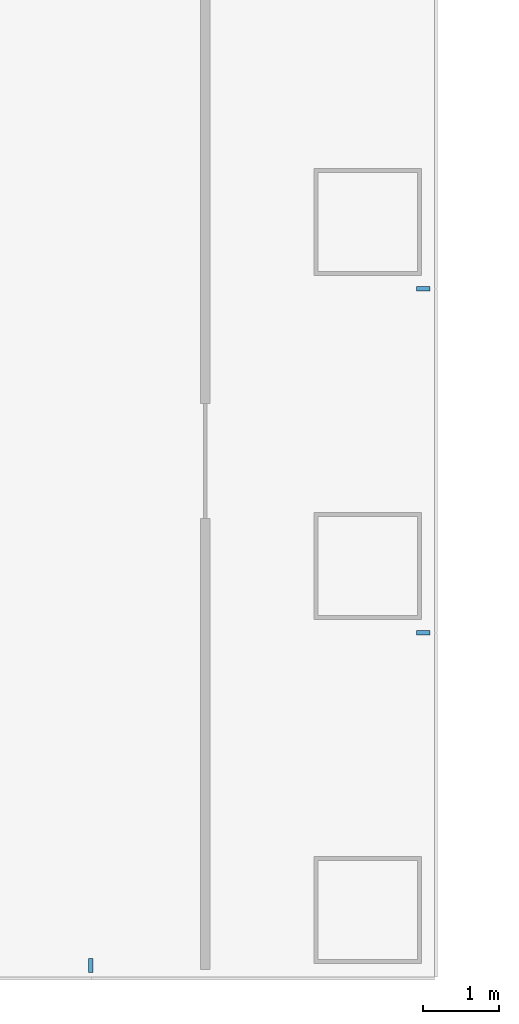
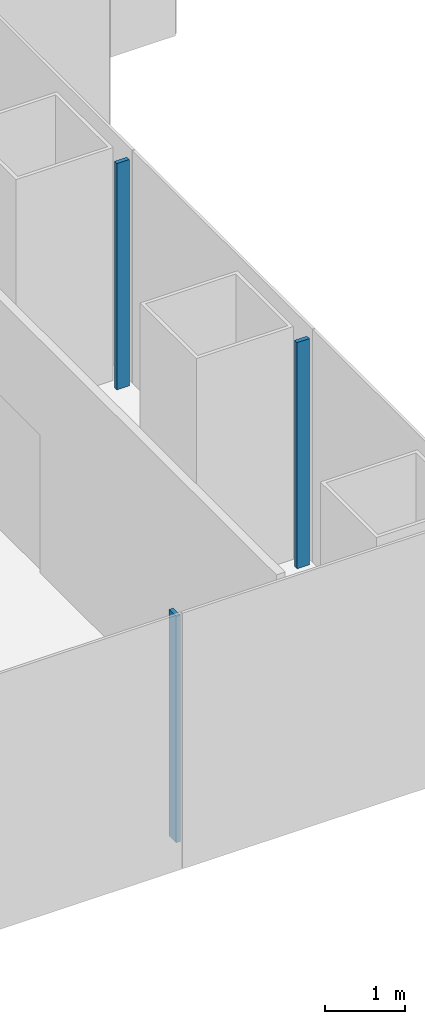
# One storey, part 8 of 21: 3 members, 2 elements without a shape of their own.
"""IFC4 building model written with IfcOpenShell, lengths in metres."""

import ifcopenshell
import ifcopenshell.guid

model = None  # the IFC model being written
_history = None  # IfcOwnerHistory: only IFC2X3 demands one
_inside = {}  # id of a spatial element -> (the spatial element, [elements in it])
_under = {}  # id of a project, library or spatial element -> (it, [spatial elements below it])
_declared = {}  # id of a project -> (the project, [libraries it declares])
_typed = {}  # id of a type object -> (the type object, [elements of that type])
_made_of = {}  # id of a material, layer set ... -> (it, [elements and type objects made of it])


def new_model(schema):
    """Start an empty IFC model of exactly this schema.

    Asked for "IFC4X3", IfcOpenShell would pick the latest addendum, in which some entities
    have other attributes; the version numbers below select the first issue.
    IFC2X3 requires an IfcOwnerHistory on every rooted entity: one is made here for all.
    """
    global model, _history
    if schema == "IFC4X3":
        model = ifcopenshell.file(schema_version=(4, 3, 0, 0))
    else:
        model = ifcopenshell.file(schema=schema)
    _inside.clear()
    _under.clear()
    _declared.clear()
    _typed.clear()
    _made_of.clear()
    _history = None
    if model.schema == "IFC2X3":
        org = make("IfcOrganization", Name="unknown")
        user = make(
            "IfcPersonAndOrganization",
            ThePerson=make("IfcPerson", FamilyName="unknown"),
            TheOrganization=org,
        )
        app = make(
            "IfcApplication",
            ApplicationDeveloper=org,
            Version="unknown",
            ApplicationFullName="unknown",
            ApplicationIdentifier="unknown",
        )
        _history = make(
            "IfcOwnerHistory",
            OwningUser=user,
            OwningApplication=app,
            ChangeAction="ADDED",
            CreationDate=0,
        )
    return model


def make(cls, **values):
    """One entity of the class cls with the attributes given. An attribute that is None is left unset."""
    return model.create_entity(
        cls, **{name: value for name, value in values.items() if value is not None}
    )


def rooted(cls, **values):
    """An entity with a GlobalId (a new one), such as an element, a storey or a relation."""
    return make(cls, GlobalId=ifcopenshell.guid.new(), OwnerHistory=_history, **values)


def si_unit(unit_type, name, prefix=None):
    """IfcSIUnit, for example si_unit("LENGTHUNIT", "METRE", prefix="MILLI")."""
    return make("IfcSIUnit", UnitType=unit_type, Prefix=prefix, Name=name)


def assignment(units):
    """IfcUnitAssignment: the units of a project."""
    return None if units is None else make("IfcUnitAssignment", Units=units)


def point(xyz):
    """IfcCartesianPoint."""
    return None if xyz is None else make("IfcCartesianPoint", Coordinates=xyz)


def direction(xyz):
    """IfcDirection."""
    return None if xyz is None else make("IfcDirection", DirectionRatios=xyz)


def frame(location, z_axis=None, x_axis=None):
    """IfcAxis2Placement3D, a coordinate frame: its origin and axes. An axis left out is left unset."""
    return make(
        "IfcAxis2Placement3D",
        Location=point(location),
        Axis=direction(z_axis),
        RefDirection=direction(x_axis),
    )


def frame_2d(location, x_axis=None):
    """IfcAxis2Placement2D, a coordinate frame in the plane: its origin and x axis."""
    return make(
        "IfcAxis2Placement2D", Location=point(location), RefDirection=direction(x_axis)
    )


def origin():
    """The frame at (0, 0, 0) with its axes left unset."""
    return frame((0.0, 0.0, 0.0))


def origin_2d():
    """The frame at (0, 0) in the plane with its x axis left unset."""
    return frame_2d((0.0, 0.0))


def place(relative_to, where):
    """IfcLocalPlacement: puts the frame where relative to a parent placement (None: the world)."""
    return make(
        "IfcLocalPlacement", PlacementRelTo=relative_to, RelativePlacement=where
    )


def context(
    kind, dimensions, precision=None, world=None, true_north=None, identifier=None
):
    """IfcGeometricRepresentationContext, for example the 3D "Model" context."""
    return make(
        "IfcGeometricRepresentationContext",
        ContextIdentifier=identifier,
        ContextType=kind,
        CoordinateSpaceDimension=dimensions,
        Precision=precision,
        WorldCoordinateSystem=world,
        TrueNorth=true_north,
    )


def subcontext(parent, identifier, kind, view, scale=None):
    """IfcGeometricRepresentationSubContext, for example "Body" below "Model"."""
    return make(
        "IfcGeometricRepresentationSubContext",
        ContextIdentifier=identifier,
        ContextType=kind,
        ParentContext=parent,
        TargetScale=scale,
        TargetView=view,
    )


def project(units=None, contexts=None):
    """IfcProject with its units and contexts."""
    return rooted(
        "IfcProject",
        Name="project",
        RepresentationContexts=contexts,
        UnitsInContext=assignment(units),
    )


def spatial(cls, under=None, at=None, **own):
    """A site, building, storey or space (cls), placed at a placement, below another one or the project."""
    s = rooted(cls, ObjectPlacement=at, **own)
    if under is not None:
        _under.setdefault(under.id(), (under, []))[1].append(s)
    return s


def profile(cls, at=None, kind="AREA", **sizes):
    """A parametric profile (cls). Its sizes go by their IFC names, for example OverallWidth=200.0."""
    return make(cls, ProfileType=kind, Position=at, **sizes)


def rectangle(**sizes):
    """IfcRectangleProfileDef."""
    return profile("IfcRectangleProfileDef", **sizes)


def extrude(swept, where, along, depth):
    """IfcExtrudedAreaSolid: the profile swept, set in the frame where, extruded along a direction by depth."""
    return make(
        "IfcExtrudedAreaSolid",
        SweptArea=swept,
        Position=where,
        ExtrudedDirection=direction(along),
        Depth=depth,
    )


def shape(context_of_items, identifier, shape_type, items):
    """IfcShapeRepresentation: the items that make up one representation, for example the "Body"."""
    return make(
        "IfcShapeRepresentation",
        ContextOfItems=context_of_items,
        RepresentationIdentifier=identifier,
        RepresentationType=shape_type,
        Items=items,
    )


def material(Name=None, Category=None):
    """IfcMaterial."""
    return make("IfcMaterial", Name=Name, Category=Category)


def layer(
    of_material, thickness, ventilated=None, Name=None, Category=None, Priority=None
):
    """IfcMaterialLayer: one layer of a wall or slab, of a material (None: an air gap)."""
    return make(
        "IfcMaterialLayer",
        Material=of_material,
        LayerThickness=thickness,
        IsVentilated=ventilated,
        Name=Name,
        Category=Category,
        Priority=Priority,
    )


def layer_set(layers, Name=None):
    """IfcMaterialLayerSet."""
    return make("IfcMaterialLayerSet", MaterialLayers=layers, LayerSetName=Name)


def material_profile(
    of_material, cross_section, Name=None, Category=None, Priority=None
):
    """IfcMaterialProfile: a cross section and its material."""
    return make(
        "IfcMaterialProfile",
        Name=Name,
        Material=of_material,
        Profile=cross_section,
        Priority=Priority,
        Category=Category,
    )


def profile_set(profiles, Name=None, composite=None):
    """IfcMaterialProfileSet."""
    return make(
        "IfcMaterialProfileSet",
        Name=Name,
        MaterialProfiles=profiles,
        CompositeProfile=composite,
    )


def made_of(thing, what):
    """Note that an element or type object is made of a material, layer set ...; save() writes the relation."""
    if what is not None:
        _made_of.setdefault(what.id(), (what, []))[1].append(thing)
    return thing


def type_object(cls, material=None, **own):
    """A type object (cls), such as IfcWallType, which elements share."""
    return made_of(rooted(cls, **own), material)


def element(
    cls,
    number,
    at=None,
    inside=None,
    cuts=None,
    type_object=None,
    material=None,
    context=None,
    identifier="Body",
    shape_type=None,
    held_by="IfcProductDefinitionShape",
    body=None,
    shapes=None,
    **own,
):
    """One element of the class cls, such as IfcWall. Its Tag is "e" and its number.

    at: its placement. inside: the storey or other place that contains it. cuts: it is an
    opening in that element (IfcRelVoidsElement). A single representation is given by context,
    identifier, shape_type and body (its items); several are given by shapes. held_by: the class
    of the entity that holds the representations. save() writes the other relations.
    """
    e = rooted(cls, Tag="e%d" % number, ObjectPlacement=at, **own)
    if body is not None:
        shapes = [shape(context, identifier, shape_type, body)]
    if shapes is not None:
        e.Representation = make(held_by, Representations=shapes)
    if inside is not None:
        _inside.setdefault(inside.id(), (inside, []))[1].append(e)
    if cuts is not None:
        rooted(
            "IfcRelVoidsElement", RelatingBuildingElement=cuts, RelatedOpeningElement=e
        )
    if type_object is not None:
        _typed.setdefault(type_object.id(), (type_object, []))[1].append(e)
    return made_of(e, material)


def aggregate(whole, parts):
    """IfcRelAggregates: a whole, such as a stair, and the parts it consists of."""
    return rooted("IfcRelAggregates", RelatingObject=whole, RelatedObjects=parts)


def save(model, path):
    """Write the relations noted so far, then the file.

    IfcRelAggregates (storeys below a building ...), IfcRelContainedInSpatialStructure (elements
    in a storey), IfcRelDefinesByType, IfcRelAssociatesMaterial and IfcRelDeclares: one each for
    every whole, place, type object, material and project.
    """
    for whole, parts in _under.values():
        aggregate(whole, parts)
    for where, things in _inside.values():
        rooted(
            "IfcRelContainedInSpatialStructure",
            RelatedElements=things,
            RelatingStructure=where,
        )
    for kind, things in _typed.values():
        rooted("IfcRelDefinesByType", RelatedObjects=things, RelatingType=kind)
    for what, things in _made_of.values():
        rooted("IfcRelAssociatesMaterial", RelatedObjects=things, RelatingMaterial=what)
    for by, libraries in _declared.values():
        rooted("IfcRelDeclares", RelatingContext=by, RelatedDefinitions=libraries)
    model.write(path)


model = new_model("IFC4")

# Units and contexts
model_context = context("Model", 3, precision=1e-05, world=origin(), true_north=direction((0.0, 1.0)))
body_context = subcontext(model_context, "Body", "Model", "MODEL_VIEW")
ifc_project = project(units=[si_unit("LENGTHUNIT", "METRE"), si_unit("AREAUNIT", "SQUARE_METRE"), si_unit("VOLUMEUNIT", "CUBIC_METRE"), si_unit("PLANEANGLEUNIT", "RADIAN"), si_unit("MASSUNIT", "GRAM", prefix="KILO")], contexts=[model_context])

# Site, building, storey
site_placement = place(None, origin())
site = spatial("IfcSite", under=ifc_project, at=site_placement, CompositionType="ELEMENT")
building_placement = place(site_placement, origin())
building = spatial("IfcBuilding", under=site, at=building_placement, Name="Shamsa Quay Exchange Towers", CompositionType="ELEMENT")
storey_placement = place(building_placement, frame((0.0, 0.0, 65.39990234375)))
storey = spatial("IfcBuildingStorey", under=building, at=storey_placement, Name="L14", CompositionType="ELEMENT", Elevation=65.39990234375)

# Curtain wall, member
ifc_material = material(Name="Aluminium EN AW-6063 T6, black anodised", Category="aluminium")
ifc_layer = layer(ifc_material, 0.280029296875)
ifc_layer_set = layer_set([ifc_layer], Name="CW-1 UNITISED VISION GLASS")
curtain_wall_type = type_object("IfcCurtainWallType", Name="CW-1 UNITISED VISION GLASS", PredefinedType="NOTDEFINED", material=ifc_layer_set)
curtain_wall_1_placement = place(storey_placement, origin())
curtain_wall_1 = element("IfcCurtainWall", 1, at=curtain_wall_1_placement, inside=storey, type_object=curtain_wall_type, Name="CW1 T2-END-U- L14", PredefinedType="NOTDEFINED")
ifc_material_profile = material_profile(ifc_material, rectangle(XDim=0.179931640625, YDim=0.06005859375, at=origin_2d()), Name="MU60x180")
ifc_profile_set = profile_set([ifc_material_profile], Name="Aluminium EN AW-6063 T6, black anodised")
member_type = type_object("IfcMemberType", Name="CW1 MULLION 60x180", PredefinedType="MULLION", material=ifc_profile_set)
member_1_placement = place(storey_placement, frame((36.0, -24.60009765625, 0.0), z_axis=(0.0, 0.0, 1.0), x_axis=(0.0, 1.0, 0.0)))
member_1 = element("IfcMember", 2, at=member_1_placement, type_object=member_type, Name="CW1 mullion", PredefinedType="MULLION", context=body_context, shape_type="SweptSolid", body=[
    extrude(rectangle(XDim=0.179931640625, YDim=0.06005859375, at=origin_2d()), origin(), (0.0, 0.0, 1.0), 3.4501953125),
])
aggregate(curtain_wall_1, [member_1])

# Curtain wall, members
curtain_wall_2_placement = place(storey_placement, origin())
curtain_wall_2 = element("IfcCurtainWall", 3, at=curtain_wall_2_placement, inside=storey, type_object=curtain_wall_type, Name="CW1 T2-FLK-U-S L14", PredefinedType="NOTDEFINED")
member_2_placement = place(storey_placement, frame((40.35009765625, -20.25, 0.0), z_axis=(0.0, 0.0, 1.0), x_axis=(-1.0, 0.0, 0.0)))
member_2 = element("IfcMember", 4, at=member_2_placement, type_object=member_type, Name="CW1 mullion", PredefinedType="MULLION", context=body_context, shape_type="SweptSolid", body=[
    extrude(rectangle(XDim=0.179931640625, YDim=0.06005859375, at=origin_2d()), origin(), (0.0, 0.0, 1.0), 3.4501953125),
])
member_3_placement = place(storey_placement, frame((40.35009765625, -15.75, 0.0), z_axis=(0.0, 0.0, 1.0), x_axis=(-1.0, 0.0, 0.0)))
member_3 = element("IfcMember", 5, at=member_3_placement, type_object=member_type, Name="CW1 mullion", PredefinedType="MULLION", context=body_context, shape_type="SweptSolid", body=[
    extrude(rectangle(XDim=0.179931640625, YDim=0.06005859375, at=origin_2d()), origin(), (0.0, 0.0, 1.0), 3.4501953125),
])
aggregate(curtain_wall_2, [member_2, member_3])

save(model, "model.ifc")
